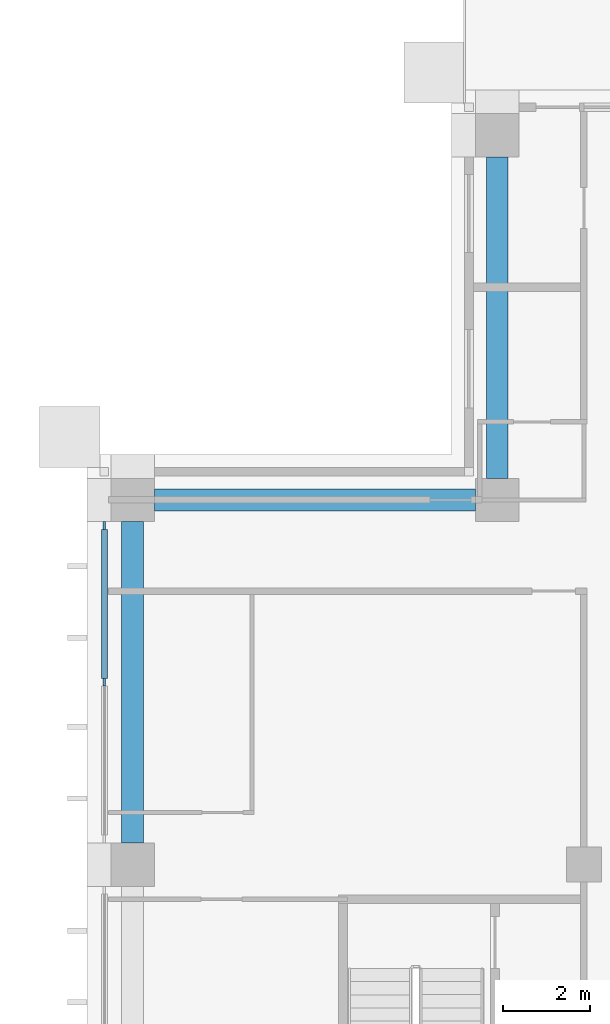
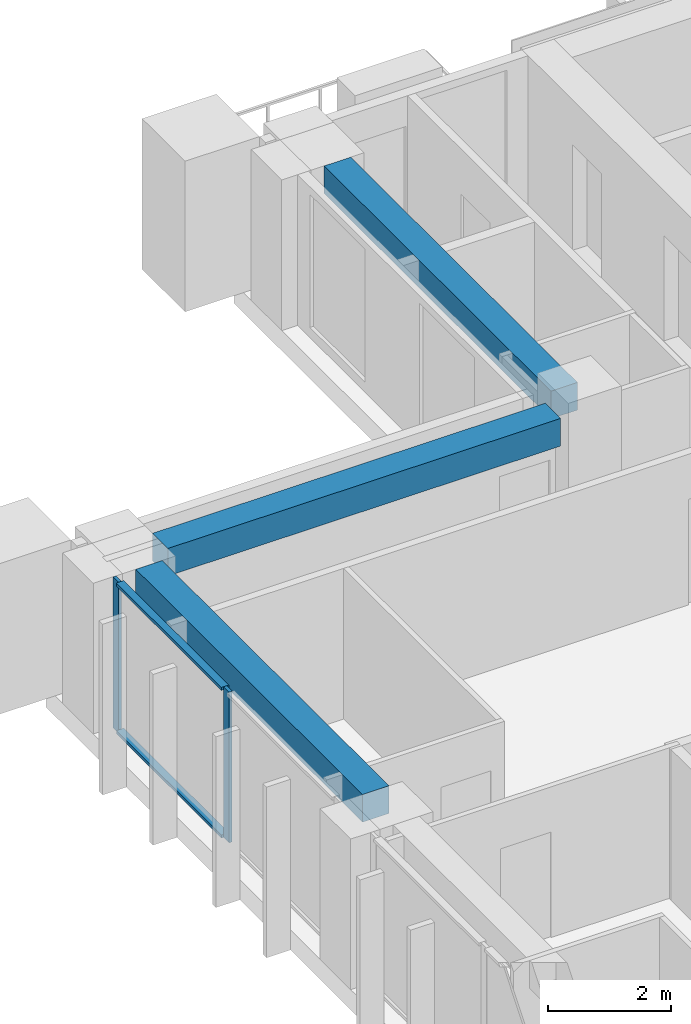
# One storey, part 6 of 19: 4 members, 3 beams, 1 element without a shape of its own.
"""IFC4 building model written with IfcOpenShell, lengths in metres."""

from ifc_helpers import new_model, si_unit, direction, frame, origin, origin_2d, place, context, subcontext, project, spatial, rectangle, extrude, material, material_profile, profile_set, type_object, element, aggregate, save


model = new_model("IFC4")

# Units and contexts
model_context = context("Model", 3, precision=1e-05, world=origin(), true_north=direction((0.0, 1.0)))
body_context = subcontext(model_context, "Body", "Model", "MODEL_VIEW")
ifc_project = project(units=[si_unit("LENGTHUNIT", "METRE"), si_unit("AREAUNIT", "SQUARE_METRE"), si_unit("VOLUMEUNIT", "CUBIC_METRE"), si_unit("PLANEANGLEUNIT", "RADIAN"), si_unit("MASSUNIT", "GRAM", prefix="KILO")], contexts=[model_context])

# Site, building, storey
site_placement = place(None, origin())
site = spatial("IfcSite", under=ifc_project, at=site_placement, CompositionType="ELEMENT")
building_placement = place(site_placement, origin())
building = spatial("IfcBuilding", under=site, at=building_placement, Name="Vermilion Ogive Tower", CompositionType="ELEMENT")
storey_placement = place(building_placement, frame((0.0, 0.0, 213.5)))
storey = spatial("IfcBuildingStorey", under=building, at=storey_placement, Name="L56", CompositionType="ELEMENT", Elevation=213.5)

# Curtain wall, members
ifc_material_1 = material(Name="Low-iron laminated glazing in aluminium frame", Category="aluminium")
curtain_wall_type = type_object("IfcCurtainWallType", Name="Curtain wall CW7", PredefinedType="NOTDEFINED", material=ifc_material_1)
curtain_wall_placement = place(storey_placement, origin())
curtain_wall = element("IfcCurtainWall", 1, at=curtain_wall_placement, inside=storey, type_object=curtain_wall_type, Name="Glazed skin W1", PredefinedType="NOTDEFINED")
ifc_material_2 = material(Name="Aluminium mullion", Category="aluminium")
ifc_material_profile_1 = material_profile(ifc_material_2, rectangle(XDim=0.06005859375, YDim=0.179931640625, at=origin_2d()), Name="AL 60x180")
ifc_profile_set_1 = profile_set([ifc_material_profile_1], Name="Aluminium mullion")
member_type_1 = type_object("IfcMemberType", Name="CW7 mullion 60x180", PredefinedType="MULLION", material=ifc_profile_set_1)
member_1_placement = place(storey_placement, frame((-25.85009765625, 12.010009765625, 0.0), z_axis=(0.0, 0.0, 1.0), x_axis=(1.0, 0.0, 0.0)))
member_1 = element("IfcMember", 2, at=member_1_placement, type_object=member_type_1, Name="CW7-W1 mullion 1", PredefinedType="MULLION", context=body_context, shape_type="SweptSolid", body=[
    extrude(rectangle(XDim=0.06005859375, YDim=0.179931640625, at=origin_2d()), origin(), (0.0, 0.0, 1.0), 3.0),
])
member_2_placement = place(storey_placement, frame((-25.85009765625, 8.39990234375, 0.0), z_axis=(0.0, 0.0, 1.0), x_axis=(1.0, 0.0, 0.0)))
member_2 = element("IfcMember", 3, at=member_2_placement, type_object=member_type_1, Name="CW7-W1 mullion 2", PredefinedType="MULLION", context=body_context, shape_type="SweptSolid", body=[
    extrude(rectangle(XDim=0.06005859375, YDim=0.179931640625, at=origin_2d()), origin(), (0.0, 0.0, 1.0), 3.0),
])
ifc_material_3 = material(Name="Aluminium transom", Category="aluminium")
ifc_material_profile_2 = material_profile(ifc_material_3, rectangle(XDim=0.139892578125, YDim=0.06005859375, at=origin_2d()), Name="AL 60x140")
ifc_profile_set_2 = profile_set([ifc_material_profile_2], Name="Aluminium transom")
member_type_2 = type_object("IfcMemberType", Name="CW7 transom 60x140", PredefinedType="USERDEFINED", material=ifc_profile_set_2)
member_3_placement = place(storey_placement, frame((-25.85009765625, 11.919921875, 0.030029296875), z_axis=(0.0, -1.0, 0.0), x_axis=(1.0, 0.0, 0.0)))
member_3 = element("IfcMember", 4, at=member_3_placement, type_object=member_type_2, Name="CW7-W1 transom 1.1", ObjectType="TRANSOM", PredefinedType="USERDEFINED", context=body_context, shape_type="SweptSolid", body=[
    extrude(rectangle(XDim=0.139892578125, YDim=0.06005859375, at=origin_2d()), origin(), (0.0, 0.0, 1.0), 3.429931640625),
])
member_4_placement = place(storey_placement, frame((-25.85009765625, 11.919921875, 2.969970703125), z_axis=(0.0, -1.0, 0.0), x_axis=(1.0, 0.0, 0.0)))
member_4 = element("IfcMember", 5, at=member_4_placement, type_object=member_type_2, Name="CW7-W1 transom 1.2", ObjectType="TRANSOM", PredefinedType="USERDEFINED", context=body_context, shape_type="SweptSolid", body=[
    extrude(rectangle(XDim=0.139892578125, YDim=0.06005859375, at=origin_2d()), origin(), (0.0, 0.0, 1.0), 3.429931640625),
])
aggregate(curtain_wall, [member_1, member_2, member_3, member_4])

# Beams
ifc_material_4 = material(Name="Concrete B45", Category="concrete")
ifc_material_profile_3 = material_profile(ifc_material_4, rectangle(XDim=0.5, YDim=0.550048828125, at=origin_2d()), Name="500 x 550")
ifc_profile_set_3 = profile_set([ifc_material_profile_3], Name="Concrete B45")
beam_type = type_object("IfcBeamType", Name="Edge beam 500 x 550 B45", PredefinedType="BEAM", material=ifc_profile_set_3)
for number, where, z_axis, x_axis, name in (
    (6, (-16.800048828125, 20.5, 2.72509765625), (0.0, -1.0, 0.0), (1.0, 0.0, 0.0), "L56-EB-12"),
    (7, (-17.300048828125, 12.60009765625, 2.72509765625), (-1.0, 0.0, 0.0), (0.0, -1.0, 0.0), "L56-EB-13"),
):
    element("IfcBeam", number, at=place(storey_placement, frame(where, z_axis=z_axis, x_axis=x_axis)), inside=storey, type_object=beam_type, Name=name, PredefinedType="BEAM", context=body_context, shape_type="SweptSolid", body=[
        extrude(rectangle(XDim=0.5, YDim=0.550048828125, at=origin_2d()), origin(), (0.0, 0.0, 1.0), 7.39990234375),
    ])
beam_placement = place(storey_placement, frame((-25.199951171875, 12.10009765625, 2.72509765625), z_axis=(0.0, -1.0, 0.0), x_axis=(1.0, 0.0, 0.0)))
element("IfcBeam", 8, at=beam_placement, inside=storey, type_object=beam_type, Name="L56-EB-14", PredefinedType="BEAM", context=body_context, shape_type="SweptSolid", body=[
    extrude(rectangle(XDim=0.5, YDim=0.550048828125, at=origin_2d()), origin(), (0.0, 0.0, 1.0), 7.400146484375),
])

save(model, "model.ifc")
